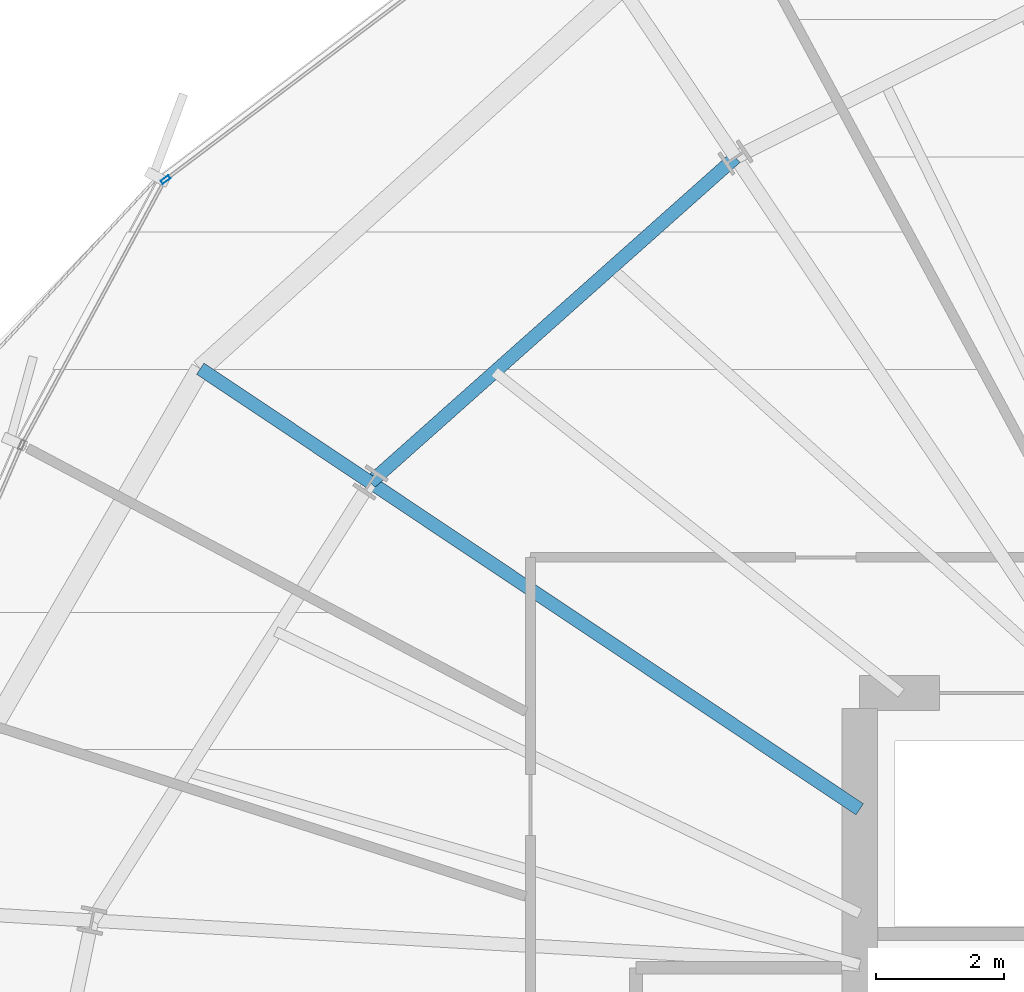
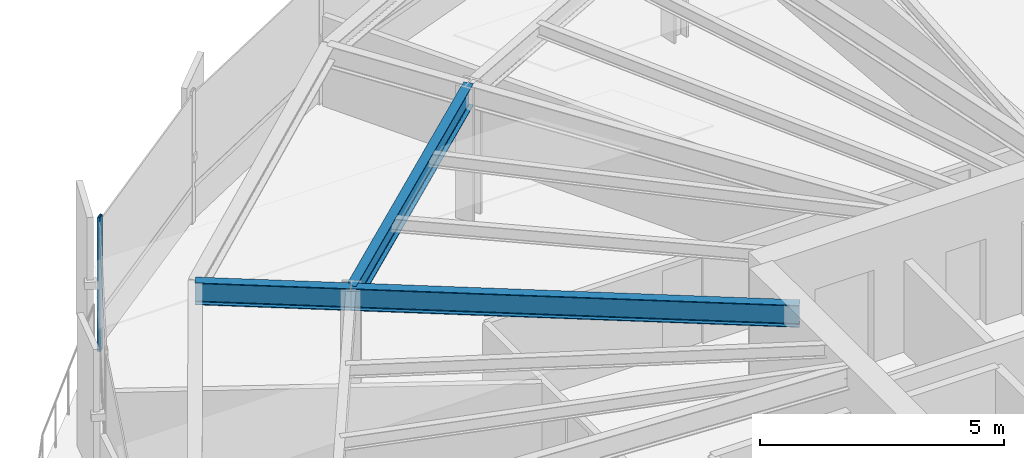
# One storey, part 18 of 35: 3 beams, 1 member, 1 element without a shape of its own.
"""IFC4 building model written with IfcOpenShell, lengths in metres."""

from ifc_helpers import new_model, si_unit, direction, frame, origin, origin_2d, place, context, subcontext, project, spatial, hollow_rectangle, i_section, extrude, source, transform, mapped, material, layer, layer_set, material_profile, profile_set, type_object, element, aggregate, save


model = new_model("IFC4")

# Units and contexts
model_context = context("Model", 3, precision=1e-05, world=origin(), true_north=direction((0.0, 1.0)))
body_context = subcontext(model_context, "Body", "Model", "MODEL_VIEW")
ifc_project = project(units=[si_unit("LENGTHUNIT", "METRE"), si_unit("AREAUNIT", "SQUARE_METRE"), si_unit("VOLUMEUNIT", "CUBIC_METRE"), si_unit("PLANEANGLEUNIT", "RADIAN"), si_unit("MASSUNIT", "GRAM", prefix="KILO"), si_unit("THERMODYNAMICTEMPERATUREUNIT", "KELVIN")], contexts=[model_context])

# Site, building, storey
site_placement = place(None, origin())
site = spatial("IfcSite", under=ifc_project, at=site_placement, CompositionType="ELEMENT")
building_placement = place(site_placement, origin())
building = spatial("IfcBuilding", under=site, at=building_placement, Name="Kethvar Cultural Tower", CompositionType="ELEMENT")
storey_placement = place(building_placement, frame((0.0, 0.0, 100.0)))
storey = spatial("IfcBuildingStorey", under=building, at=storey_placement, Name="L24", CompositionType="ELEMENT", Elevation=100.0)

# Beams
ifc_material_1 = material(Name="Steel S355J2", Category="steel")
ifc_material_profile_1 = material_profile(ifc_material_1, i_section(OverallWidth=0.2099609375, OverallDepth=0.550048828125, WebThickness=0.010986328125, FlangeThickness=0.01708984375, FilletRadius=0.02392578125, at=origin_2d()), Name="Steel S355J2 — IPE550")
ifc_profile_set_1 = profile_set([ifc_material_profile_1], Name="Steel S355J2 — IPE550")
beam_type = type_object("IfcBeamType", Name="BM-IPE550", PredefinedType="BEAM", material=ifc_profile_set_1)
shared_shape_1 = source(origin(), body_context, "Body", "SweptSolid", [
    extrude(i_section(OverallWidth=0.2099609375, OverallDepth=0.550048828125, WebThickness=0.010986328125, FlangeThickness=0.01708984375, FilletRadius=0.02392578125, at=origin_2d()), origin(), (0.0, 0.0, 1.0), 3.199951171875),
])
beam_1_placement = place(storey_placement, frame((30.345947265625, 38.794189453125, 3.072998046875), z_axis=(-0.831462943996, 0.555580212716, 0.0), x_axis=(-0.555580212716, -0.831462943996, 0.0)))
element("IfcBeam", 1, at=beam_1_placement, inside=storey, type_object=beam_type, Name="L24 Perimeter Cantilever Beam RC-07", PredefinedType="BEAM", context=body_context, shape_type="MappedRepresentation", body=[
    mapped(shared_shape_1, transform((0.0, 0.0, 0.0), scale=1.0)),
])
shared_shape_2 = source(origin(), body_context, "Body", "SweptSolid", [
    extrude(i_section(OverallWidth=0.2099609375, OverallDepth=0.550048828125, WebThickness=0.010986328125, FlangeThickness=0.01708984375, FilletRadius=0.02392578125, at=origin_2d()), origin(), (0.0, 0.0, 1.0), 9.205322265625),
])
beam_2_placement = place(storey_placement, frame((38.0, 33.679931640625, 3.072998046875), z_axis=(-0.831470451236, 0.555568977465, 0.0), x_axis=(-0.555568977465, -0.831470451236, 0.0)))
element("IfcBeam", 2, at=beam_2_placement, inside=storey, type_object=beam_type, Name="L24 Primary Radial Beam RB-07", PredefinedType="BEAM", context=body_context, shape_type="MappedRepresentation", body=[
    mapped(shared_shape_2, transform((0.0, 0.0, 0.0), scale=1.0)),
])
shared_shape_3 = source(origin(), body_context, "Body", "SweptSolid", [
    extrude(i_section(OverallWidth=0.2099609375, OverallDepth=0.550048828125, WebThickness=0.010986328125, FlangeThickness=0.01708984375, FilletRadius=0.02392578125, at=origin_2d()), origin(), (0.0, 0.0, 1.0), 7.64599609375),
])
beam_3_placement = place(storey_placement, frame((36.0576171875, 43.877197265625, 3.072998046875), z_axis=(-0.747021617367, -0.66479974668, 0.0), x_axis=(0.66479974668, -0.747021617367, 0.0)))
element("IfcBeam", 3, at=beam_3_placement, inside=storey, type_object=beam_type, Name="L24 Column Ring Tie Beam CR-06", PredefinedType="BEAM", context=body_context, shape_type="MappedRepresentation", body=[
    mapped(shared_shape_3, transform((0.0, 0.0, 0.0), scale=1.0)),
])

# Curtain wall, member
ifc_material_2 = material(Name="Aluminium 6063-T6", Category="aluminium")
ifc_layer = layer(ifc_material_2, 0.179931640625, Name="Aluminium 6063-T6", Category="aluminium")
ifc_layer_set = layer_set([ifc_layer], Name="Aluminium 6063-T6 (180 mm)")
curtain_wall_type = type_object("IfcCurtainWallType", Name="CW-SYS-03-Z2", PredefinedType="NOTDEFINED", material=ifc_layer_set)
curtain_wall_placement = place(storey_placement, origin())
curtain_wall = element("IfcCurtainWall", 4, at=curtain_wall_placement, inside=storey, type_object=curtain_wall_type, Name="L24 Curtain Wall Run 02", PredefinedType="NOTDEFINED")
ifc_material_profile_2 = material_profile(ifc_material_2, hollow_rectangle(XDim=0.06005859375, YDim=0.14990234375, WallThickness=0.0048828125, at=origin_2d()), Name="Aluminium 6063-T6 — RHS150x60x5")
ifc_profile_set_2 = profile_set([ifc_material_profile_2], Name="Aluminium 6063-T6 — RHS150x60x5")
member_type = type_object("IfcMemberType", Name="CW-SYS-03-Z2-MUL", PredefinedType="MULLION", material=ifc_profile_set_2)
shared_shape_4 = source(origin(), body_context, "Body", "SweptSolid", [
    extrude(hollow_rectangle(XDim=0.06005859375, YDim=0.14990234375, WallThickness=0.0048828125, at=origin_2d()), origin(), (0.0, 0.0, 1.0), 3.35009765625),
])
member_placement = place(storey_placement, frame((27.140380859375, 43.53076171875, 0.0), z_axis=(0.0, 0.0, 1.0), x_axis=(0.603486360302, -0.797373320929, 0.0)))
member = element("IfcMember", 5, at=member_placement, type_object=member_type, Name="CW-L24-R02 Mullion 7", PredefinedType="MULLION", context=body_context, shape_type="MappedRepresentation", body=[
    mapped(shared_shape_4, transform((0.0, 0.0, 0.0), scale=1.0)),
])
aggregate(curtain_wall, [member])

save(model, "model.ifc")
